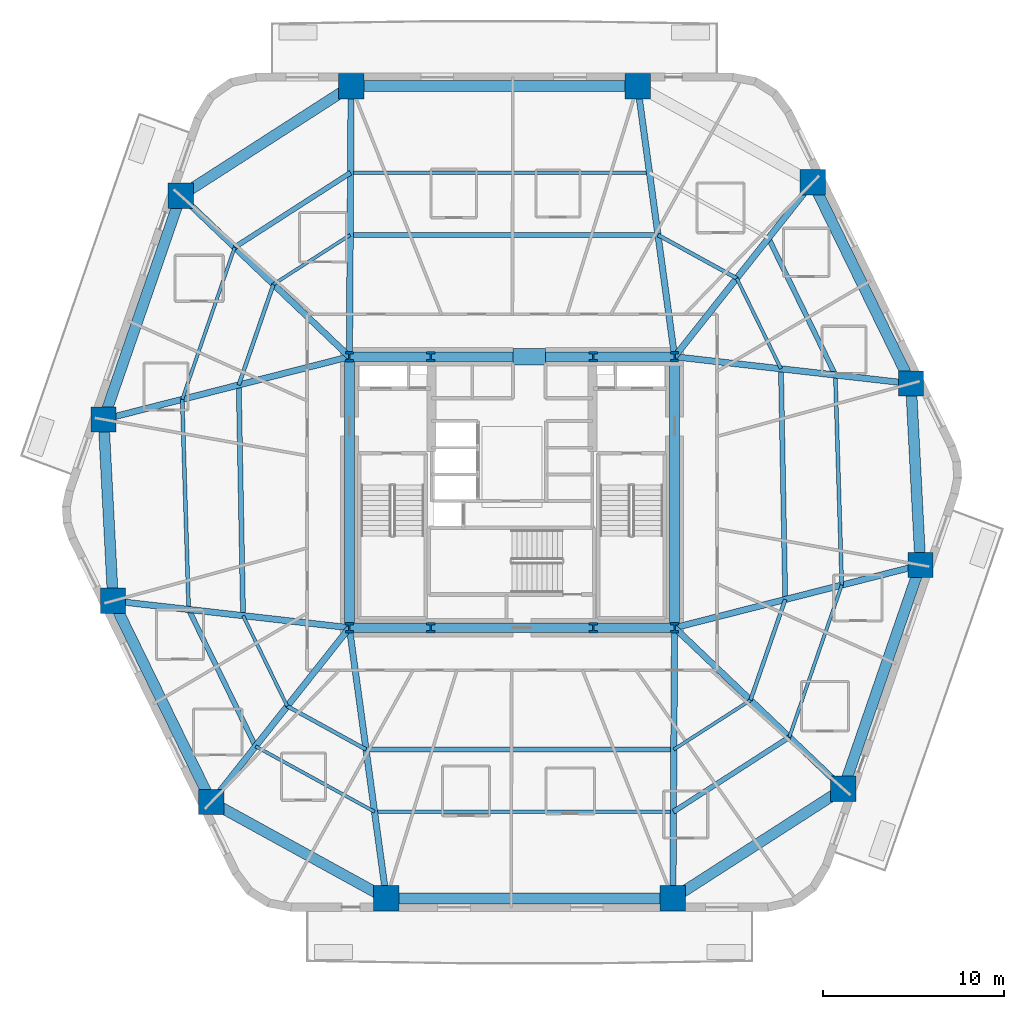
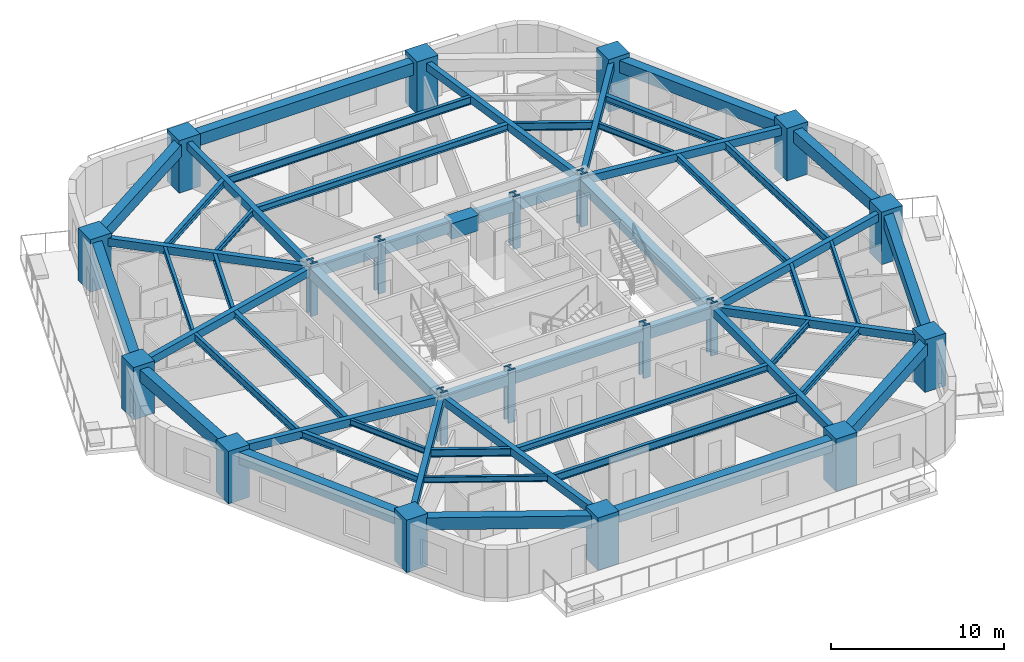
# One storey, part 1 of 11: 55 beams, 20 columns.
"""IFC4 building model written with IfcOpenShell, lengths in metres."""

from ifc_helpers import new_model, si_unit, direction, frame, origin, origin_2d, place, context, subcontext, project, spatial, rectangle, i_section, extrude, material, material_profile, profile_set, type_object, element, save


model = new_model("IFC4")

# Units and contexts
model_context = context("Model", 3, precision=1e-05, world=origin(), true_north=direction((0.0, 1.0)))
body_context = subcontext(model_context, "Body", "Model", "MODEL_VIEW")
ifc_project = project(units=[si_unit("LENGTHUNIT", "METRE"), si_unit("AREAUNIT", "SQUARE_METRE"), si_unit("VOLUMEUNIT", "CUBIC_METRE"), si_unit("PLANEANGLEUNIT", "RADIAN"), si_unit("MASSUNIT", "GRAM", prefix="KILO")], contexts=[model_context])

# Site, building, storey
site_placement = place(None, origin())
site = spatial("IfcSite", under=ifc_project, at=site_placement, CompositionType="ELEMENT")
building_placement = place(site_placement, origin())
building = spatial("IfcBuilding", under=site, at=building_placement, Name="Kilnhurst Terrace Hotel", CompositionType="ELEMENT")
storey_placement = place(building_placement, frame((0.0, 0.0, 37.89990234375)))
storey = spatial("IfcBuildingStorey", under=building, at=storey_placement, Name="L07", CompositionType="ELEMENT", Elevation=37.89990234375)

# Columns
ifc_material_1 = material(Name="Concrete C80/95", Category="concrete")
ifc_material_profile_1 = material_profile(ifc_material_1, rectangle(XDim=1.39990234375, YDim=1.39990234375, at=origin_2d()), Name="RC1400X1400")
ifc_profile_set_1 = profile_set([ifc_material_profile_1], Name="Concrete C80/95")
column_type_1 = type_object("IfcColumnType", Name="COL-RC-1400", PredefinedType="COLUMN", material=ifc_profile_set_1)
for number, where, z_axis, x_axis, name in (
    (1, (-6.955078125, -22.47998046875, 0.0), (0.0, 0.0, 1.0), (1.0, 0.0, 0.0), "L07 Structural Column PC-F11"),
    (2, (8.905029296875, -22.47998046875, 0.0), (0.0, 0.0, 1.0), (1.0, 0.0, 0.0), "L07 Structural Column PC-F12"),
    (3, (18.337890625, -16.410888671875, 0.0), (0.0, 0.0, 1.0), (1.0, 0.0, 0.0), "L07 Structural Column PC-F21"),
    (4, (22.60888671875, -4.029052734375, 0.0), (0.0, 0.0, 1.0), (1.0, 0.0, 0.0), "L07 Structural Column PC-F22"),
    (5, (22.083984375, 6.013916015625, 0.0), (0.0, 0.0, 1.0), (1.0, 0.0, 0.0), "L07 Structural Column PC-F31"),
    (6, (16.64306640625, 17.152099609375, 0.0), (0.0, 0.0, 1.0), (1.0, 0.0, 0.0), "L07 Structural Column PC-F32"),
    (7, (6.955078125, 22.47998046875, 0.0), (0.0, 0.0, 1.0), (1.0, 0.0, 0.0), "L07 Structural Column PC-F41"),
    (8, (-8.905029296875, 22.47998046875, 0.0), (0.0, 0.0, 1.0), (1.0, 0.0, 0.0), "L07 Structural Column PC-F42"),
    (9, (-18.337890625, 16.410888671875, 0.0), (0.0, 0.0, 1.0), (1.0, 0.0, 0.0), "L07 Structural Column PC-F51"),
    (10, (-22.60888671875, 4.029052734375, 0.0), (0.0, 0.0, 1.0), (1.0, 0.0, 0.0), "L07 Structural Column PC-F52"),
    (11, (-22.083984375, -6.013916015625, 0.0), (0.0, 0.0, 1.0), (1.0, 0.0, 0.0), "L07 Structural Column PC-F61"),
    (12, (-16.64306640625, -17.152099609375, 0.0), (0.0, 0.0, 1.0), (1.0, 0.0, 0.0), "L07 Structural Column PC-F62"),
):
    element("IfcColumn", number, at=place(storey_placement, frame(where, z_axis=z_axis, x_axis=x_axis)), inside=storey, type_object=column_type_1, Name=name, PredefinedType="COLUMN", context=body_context, shape_type="SweptSolid", body=[
        extrude(rectangle(XDim=1.39990234375, YDim=1.39990234375, at=origin_2d()), origin(), (0.0, 0.0, 1.0), 3.7001953125),
    ])
ifc_material_2 = material(Name="Steel ASTM A992 Grade 50", Category="steel")
ifc_material_profile_2 = material_profile(ifc_material_2, i_section(OverallWidth=0.454345703125, OverallDepth=0.569091796875, WebThickness=0.077880859375, FlangeThickness=0.124755859375, at=origin_2d()), Name="W14X730")
ifc_profile_set_2 = profile_set([ifc_material_profile_2], Name="Steel ASTM A992 Grade 50")
column_type_2 = type_object("IfcColumnType", Name="COL-STL-W14X730", PredefinedType="COLUMN", material=ifc_profile_set_2)
for number, where, z_axis, x_axis, name in (
    (13, (-9.0, -7.5, 0.0), (0.0, 0.0, 1.0), (1.0, 0.0, 0.0), "L07 Structural Column CC-SW"),
    (14, (-4.5, -7.5, 0.0), (0.0, 0.0, 1.0), (1.0, 0.0, 0.0), "L07 Structural Column CC-SC1"),
    (15, (4.5, -7.5, 0.0), (0.0, 0.0, 1.0), (1.0, 0.0, 0.0), "L07 Structural Column CC-SC2"),
    (16, (9.0, -7.5, 0.0), (0.0, 0.0, 1.0), (1.0, 0.0, 0.0), "L07 Structural Column CC-SE"),
    (17, (9.0, 7.5, 0.0), (0.0, 0.0, 1.0), (1.0, 0.0, 0.0), "L07 Structural Column CC-NE"),
    (18, (4.5, 7.5, 0.0), (0.0, 0.0, 1.0), (1.0, 0.0, 0.0), "L07 Structural Column CC-NC2"),
    (19, (-4.5, 7.5, 0.0), (0.0, 0.0, 1.0), (1.0, 0.0, 0.0), "L07 Structural Column CC-NC1"),
    (20, (-9.0, 7.5, 0.0), (0.0, 0.0, 1.0), (1.0, 0.0, 0.0), "L07 Structural Column CC-NW"),
):
    element("IfcColumn", number, at=place(storey_placement, frame(where, z_axis=z_axis, x_axis=x_axis)), inside=storey, type_object=column_type_2, Name=name, PredefinedType="COLUMN", context=body_context, shape_type="SweptSolid", body=[
        extrude(i_section(OverallWidth=0.454345703125, OverallDepth=0.569091796875, WebThickness=0.077880859375, FlangeThickness=0.124755859375, at=origin_2d()), origin(), (0.0, 0.0, 1.0), 3.7001953125),
    ])

# Beams
ifc_material_3 = material(Name="Concrete C50/60", Category="concrete")
ifc_material_profile_3 = material_profile(ifc_material_3, rectangle(XDim=0.35009765625, YDim=0.550048828125, at=origin_2d()), Name="RC350X550")
ifc_profile_set_3 = profile_set([ifc_material_profile_3], Name="Concrete C50/60")
beam_type_1 = type_object("IfcBeamType", Name="BM-RAD-350X550", PredefinedType="BEAM", material=ifc_profile_set_3)
beam_1_placement = place(storey_placement, frame((-9.0, -7.5, 3.125), z_axis=(0.13525588246, -0.990810701527, 0.0), x_axis=(0.990810701527, 0.13525588246, 0.0)))
element("IfcBeam", 21, at=beam_1_placement, inside=storey, type_object=beam_type_1, Name="L07 Radial Floor Beam 1", PredefinedType="BEAM", context=body_context, shape_type="SweptSolid", body=[
    extrude(rectangle(XDim=0.35009765625, YDim=0.550048828125, at=origin_2d()), origin(), (0.0, 0.0, 1.0), 15.118896484375),
])
beam_2_placement = place(storey_placement, frame((9.0, -7.5, 3.125), z_axis=(-0.006339714179, -0.99997990381, 0.0), x_axis=(0.99997990381, -0.006339714179, 0.0)))
element("IfcBeam", 22, at=beam_2_placement, inside=storey, type_object=beam_type_1, Name="L07 Radial Floor Beam 2", PredefinedType="BEAM", context=body_context, shape_type="SweptSolid", body=[
    extrude(rectangle(XDim=0.35009765625, YDim=0.550048828125, at=origin_2d()), origin(), (0.0, 0.0, 1.0), 14.980224609375),
])
beam_3_placement = place(storey_placement, frame((9.0, -7.5, 3.125), z_axis=(0.723454302813, -0.690372270403, 0.0), x_axis=(0.690372270403, 0.723454302813, 0.0)))
element("IfcBeam", 23, at=beam_3_placement, inside=storey, type_object=beam_type_1, Name="L07 Radial Floor Beam 3", PredefinedType="BEAM", context=body_context, shape_type="SweptSolid", body=[
    extrude(rectangle(XDim=0.35009765625, YDim=0.550048828125, at=origin_2d()), origin(), (0.0, 0.0, 1.0), 12.907470703125),
])
beam_4_placement = place(storey_placement, frame((9.0, -7.5, 3.125), z_axis=(0.968980179812, 0.247138445273, 0.0), x_axis=(-0.247138445273, 0.968980179812, 0.0)))
element("IfcBeam", 24, at=beam_4_placement, inside=storey, type_object=beam_type_1, Name="L07 Radial Floor Beam 4", PredefinedType="BEAM", context=body_context, shape_type="SweptSolid", body=[
    extrude(rectangle(XDim=0.35009765625, YDim=0.550048828125, at=origin_2d()), origin(), (0.0, 0.0, 1.0), 14.04443359375),
])
beam_5_placement = place(storey_placement, frame((9.0, 7.5, 3.125), z_axis=(0.993611493249, -0.112854776075, 0.0), x_axis=(0.112854776075, 0.993611493249, 0.0)))
element("IfcBeam", 25, at=beam_5_placement, inside=storey, type_object=beam_type_1, Name="L07 Radial Floor Beam 5", PredefinedType="BEAM", context=body_context, shape_type="SweptSolid", body=[
    extrude(rectangle(XDim=0.35009765625, YDim=0.550048828125, at=origin_2d()), origin(), (0.0, 0.0, 1.0), 13.168212890625),
])
beam_6_placement = place(storey_placement, frame((9.0, 7.5, 3.125), z_axis=(0.62079385707, 0.783973843329, 0.0), x_axis=(-0.783973843329, 0.62079385707, 0.0)))
element("IfcBeam", 26, at=beam_6_placement, inside=storey, type_object=beam_type_1, Name="L07 Radial Floor Beam 6", PredefinedType="BEAM", context=body_context, shape_type="SweptSolid", body=[
    extrude(rectangle(XDim=0.35009765625, YDim=0.550048828125, at=origin_2d()), origin(), (0.0, 0.0, 1.0), 12.311767578125),
])
beam_7_placement = place(storey_placement, frame((9.0, 7.5, 3.125), z_axis=(-0.13525588246, 0.990810701527, 0.0), x_axis=(-0.990810701527, -0.13525588246, 0.0)))
element("IfcBeam", 27, at=beam_7_placement, inside=storey, type_object=beam_type_1, Name="L07 Radial Floor Beam 7", PredefinedType="BEAM", context=body_context, shape_type="SweptSolid", body=[
    extrude(rectangle(XDim=0.35009765625, YDim=0.550048828125, at=origin_2d()), origin(), (0.0, 0.0, 1.0), 15.118896484375),
])
beam_8_placement = place(storey_placement, frame((-9.0, 7.5, 3.125), z_axis=(0.006339714179, 0.99997990381, 0.0), x_axis=(-0.99997990381, 0.006339714179, 0.0)))
element("IfcBeam", 28, at=beam_8_placement, inside=storey, type_object=beam_type_1, Name="L07 Radial Floor Beam 8", PredefinedType="BEAM", context=body_context, shape_type="SweptSolid", body=[
    extrude(rectangle(XDim=0.35009765625, YDim=0.550048828125, at=origin_2d()), origin(), (0.0, 0.0, 1.0), 14.980224609375),
])
beam_9_placement = place(storey_placement, frame((-9.0, 7.5, 3.125), z_axis=(-0.723454302813, 0.690372270403, 0.0), x_axis=(-0.690372270403, -0.723454302813, 0.0)))
element("IfcBeam", 29, at=beam_9_placement, inside=storey, type_object=beam_type_1, Name="L07 Radial Floor Beam 9", PredefinedType="BEAM", context=body_context, shape_type="SweptSolid", body=[
    extrude(rectangle(XDim=0.35009765625, YDim=0.550048828125, at=origin_2d()), origin(), (0.0, 0.0, 1.0), 12.907470703125),
])
beam_10_placement = place(storey_placement, frame((-9.0, 7.5, 3.125), z_axis=(-0.968980179812, -0.247138445273, 0.0), x_axis=(0.247138445273, -0.968980179812, 0.0)))
element("IfcBeam", 30, at=beam_10_placement, inside=storey, type_object=beam_type_1, Name="L07 Radial Floor Beam 10", PredefinedType="BEAM", context=body_context, shape_type="SweptSolid", body=[
    extrude(rectangle(XDim=0.35009765625, YDim=0.550048828125, at=origin_2d()), origin(), (0.0, 0.0, 1.0), 14.04443359375),
])
beam_11_placement = place(storey_placement, frame((-9.0, -7.5, 3.125), z_axis=(-0.993611493249, 0.112854776075, 0.0), x_axis=(-0.112854776075, -0.993611493249, 0.0)))
element("IfcBeam", 31, at=beam_11_placement, inside=storey, type_object=beam_type_1, Name="L07 Radial Floor Beam 11", PredefinedType="BEAM", context=body_context, shape_type="SweptSolid", body=[
    extrude(rectangle(XDim=0.35009765625, YDim=0.550048828125, at=origin_2d()), origin(), (0.0, 0.0, 1.0), 13.168212890625),
])
beam_12_placement = place(storey_placement, frame((-9.0, -7.5, 3.125), z_axis=(-0.62079385707, -0.783973843329, 0.0), x_axis=(0.783973843329, -0.62079385707, 0.0)))
element("IfcBeam", 32, at=beam_12_placement, inside=storey, type_object=beam_type_1, Name="L07 Radial Floor Beam 12", PredefinedType="BEAM", context=body_context, shape_type="SweptSolid", body=[
    extrude(rectangle(XDim=0.35009765625, YDim=0.550048828125, at=origin_2d()), origin(), (0.0, 0.0, 1.0), 12.311767578125),
])
ifc_material_profile_4 = material_profile(ifc_material_3, rectangle(XDim=0.550048828125, YDim=0.75, at=origin_2d()), Name="RC550X750")
ifc_profile_set_4 = profile_set([ifc_material_profile_4], Name="Concrete C50/60")
beam_type_2 = type_object("IfcBeamType", Name="BM-SPN-550X750", PredefinedType="SPANDREL", material=ifc_profile_set_4)
beam_13_placement = place(storey_placement, frame((-9.0, 7.5, 3.025146484375), z_axis=(1.0, 0.0, 0.0), x_axis=(0.0, 1.0, 0.0)))
element("IfcBeam", 33, at=beam_13_placement, inside=storey, type_object=beam_type_2, Name="L07 Core Tie Beam CC-NW to CC-NC1", PredefinedType="SPANDREL", context=body_context, shape_type="SweptSolid", body=[
    extrude(rectangle(XDim=0.550048828125, YDim=0.75, at=origin_2d()), origin(), (0.0, 0.0, 1.0), 4.5),
])
beam_14_placement = place(storey_placement, frame((-4.5, 7.5, 3.025146484375), z_axis=(1.0, 0.0, 0.0), x_axis=(0.0, 1.0, 0.0)))
element("IfcBeam", 34, at=beam_14_placement, inside=storey, type_object=beam_type_2, Name="L07 Core Tie Beam CC-NC1 to CC-NC2", PredefinedType="SPANDREL", context=body_context, shape_type="SweptSolid", body=[
    extrude(rectangle(XDim=0.550048828125, YDim=0.75, at=origin_2d()), origin(), (0.0, 0.0, 1.0), 9.0),
])
for number, where, z_axis, x_axis, name in (
    (35, (4.5, 7.5, 3.025146484375), (1.0, 0.0, 0.0), (0.0, 1.0, 0.0), "L07 Core Tie Beam CC-NC2 to CC-NE"),
    (36, (-9.0, -7.5, 3.025146484375), (1.0, 0.0, 0.0), (0.0, 1.0, 0.0), "L07 Core Tie Beam CC-SW to CC-SC1"),
):
    element("IfcBeam", number, at=place(storey_placement, frame(where, z_axis=z_axis, x_axis=x_axis)), inside=storey, type_object=beam_type_2, Name=name, PredefinedType="SPANDREL", context=body_context, shape_type="SweptSolid", body=[
        extrude(rectangle(XDim=0.550048828125, YDim=0.75, at=origin_2d()), origin(), (0.0, 0.0, 1.0), 4.5),
    ])
beam_15_placement = place(storey_placement, frame((-4.5, -7.5, 3.025146484375), z_axis=(1.0, 0.0, 0.0), x_axis=(0.0, 1.0, 0.0)))
element("IfcBeam", 37, at=beam_15_placement, inside=storey, type_object=beam_type_2, Name="L07 Core Tie Beam CC-SC1 to CC-SC2", PredefinedType="SPANDREL", context=body_context, shape_type="SweptSolid", body=[
    extrude(rectangle(XDim=0.550048828125, YDim=0.75, at=origin_2d()), origin(), (0.0, 0.0, 1.0), 9.0),
])
beam_16_placement = place(storey_placement, frame((4.5, -7.5, 3.025146484375), z_axis=(1.0, 0.0, 0.0), x_axis=(0.0, 1.0, 0.0)))
element("IfcBeam", 38, at=beam_16_placement, inside=storey, type_object=beam_type_2, Name="L07 Core Tie Beam CC-SC2 to CC-SE", PredefinedType="SPANDREL", context=body_context, shape_type="SweptSolid", body=[
    extrude(rectangle(XDim=0.550048828125, YDim=0.75, at=origin_2d()), origin(), (0.0, 0.0, 1.0), 4.5),
])
for number, where, z_axis, x_axis, name in (
    (39, (-9.0, -7.5, 3.025146484375), (0.0, 1.0, 0.0), (-1.0, 0.0, 0.0), "L07 Core Tie Beam CC-SW to CC-NW"),
    (40, (9.0, -7.5, 3.025146484375), (0.0, 1.0, 0.0), (-1.0, 0.0, 0.0), "L07 Core Tie Beam CC-SE to CC-NE"),
):
    element("IfcBeam", number, at=place(storey_placement, frame(where, z_axis=z_axis, x_axis=x_axis)), inside=storey, type_object=beam_type_2, Name=name, PredefinedType="SPANDREL", context=body_context, shape_type="SweptSolid", body=[
        extrude(rectangle(XDim=0.550048828125, YDim=0.75, at=origin_2d()), origin(), (0.0, 0.0, 1.0), 15.0),
    ])
ifc_material_profile_5 = material_profile(ifc_material_3, rectangle(XDim=0.60009765625, YDim=0.85009765625, at=origin_2d()), Name="RC600X850")
ifc_profile_set_5 = profile_set([ifc_material_profile_5], Name="Concrete C50/60")
beam_type_3 = type_object("IfcBeamType", Name="BM-SPN-600X850", PredefinedType="SPANDREL", material=ifc_profile_set_5)
beam_17_placement = place(storey_placement, frame((-6.955078125, -22.47998046875, 2.97509765625), z_axis=(1.0, 0.0, 0.0), x_axis=(0.0, 1.0, 0.0)))
element("IfcBeam", 41, at=beam_17_placement, inside=storey, type_object=beam_type_3, Name="L07 Perimeter Spandrel Beam 1", PredefinedType="SPANDREL", context=body_context, shape_type="SweptSolid", body=[
    extrude(rectangle(XDim=0.60009765625, YDim=0.85009765625, at=origin_2d()), origin(), (0.0, 0.0, 1.0), 15.860107421875),
])
beam_18_placement = place(storey_placement, frame((8.905029296875, -22.47998046875, 2.97509765625), z_axis=(0.840971204873, 0.541079876335, 0.0), x_axis=(-0.541079876335, 0.840971204873, 0.0)))
element("IfcBeam", 42, at=beam_18_placement, inside=storey, type_object=beam_type_3, Name="L07 Perimeter Spandrel Beam 2", PredefinedType="SPANDREL", context=body_context, shape_type="SweptSolid", body=[
    extrude(rectangle(XDim=0.60009765625, YDim=0.85009765625, at=origin_2d()), origin(), (0.0, 0.0, 1.0), 11.216552734375),
])
beam_19_placement = place(storey_placement, frame((18.337890625, -16.410888671875, 2.97509765625), z_axis=(0.326086040191, 0.945340094565, 0.0), x_axis=(-0.945340094565, 0.326086040191, 0.0)))
element("IfcBeam", 43, at=beam_19_placement, inside=storey, type_object=beam_type_3, Name="L07 Perimeter Spandrel Beam 3", PredefinedType="SPANDREL", context=body_context, shape_type="SweptSolid", body=[
    extrude(rectangle(XDim=0.60009765625, YDim=0.85009765625, at=origin_2d()), origin(), (0.0, 0.0, 1.0), 13.09765625),
])
beam_20_placement = place(storey_placement, frame((22.60888671875, -4.029052734375, 2.97509765625), z_axis=(-0.052194414298, 0.998636942595, 0.0), x_axis=(-0.998636942595, -0.052194414298, 0.0)))
element("IfcBeam", 44, at=beam_20_placement, inside=storey, type_object=beam_type_3, Name="L07 Perimeter Spandrel Beam 4", PredefinedType="SPANDREL", context=body_context, shape_type="SweptSolid", body=[
    extrude(rectangle(XDim=0.60009765625, YDim=0.85009765625, at=origin_2d()), origin(), (0.0, 0.0, 1.0), 10.056640625),
])
beam_21_placement = place(storey_placement, frame((22.083984375, 6.013916015625, 2.97509765625), z_axis=(-0.438922573627, 0.898524888003, 0.0), x_axis=(-0.898524888003, -0.438922573627, 0.0)))
element("IfcBeam", 45, at=beam_21_placement, inside=storey, type_object=beam_type_3, Name="L07 Perimeter Spandrel Beam 5", PredefinedType="SPANDREL", context=body_context, shape_type="SweptSolid", body=[
    extrude(rectangle(XDim=0.60009765625, YDim=0.85009765625, at=origin_2d()), origin(), (0.0, 0.0, 1.0), 12.39599609375),
])
beam_22_placement = place(storey_placement, frame((6.955078125, 22.47998046875, 2.97509765625), z_axis=(-1.0, 0.0, 0.0), x_axis=(0.0, -1.0, 0.0)))
element("IfcBeam", 46, at=beam_22_placement, inside=storey, type_object=beam_type_3, Name="L07 Perimeter Spandrel Beam 7", PredefinedType="SPANDREL", context=body_context, shape_type="SweptSolid", body=[
    extrude(rectangle(XDim=0.60009765625, YDim=0.85009765625, at=origin_2d()), origin(), (0.0, 0.0, 1.0), 15.860107421875),
])
beam_23_placement = place(storey_placement, frame((-8.905029296875, 22.47998046875, 2.97509765625), z_axis=(-0.840971204873, -0.541079876335, 0.0), x_axis=(0.541079876335, -0.840971204873, 0.0)))
element("IfcBeam", 47, at=beam_23_placement, inside=storey, type_object=beam_type_3, Name="L07 Perimeter Spandrel Beam 8", PredefinedType="SPANDREL", context=body_context, shape_type="SweptSolid", body=[
    extrude(rectangle(XDim=0.60009765625, YDim=0.85009765625, at=origin_2d()), origin(), (0.0, 0.0, 1.0), 11.216552734375),
])
beam_24_placement = place(storey_placement, frame((-18.337890625, 16.410888671875, 2.97509765625), z_axis=(-0.326086040191, -0.945340094565, 0.0), x_axis=(0.945340094565, -0.326086040191, 0.0)))
element("IfcBeam", 48, at=beam_24_placement, inside=storey, type_object=beam_type_3, Name="L07 Perimeter Spandrel Beam 9", PredefinedType="SPANDREL", context=body_context, shape_type="SweptSolid", body=[
    extrude(rectangle(XDim=0.60009765625, YDim=0.85009765625, at=origin_2d()), origin(), (0.0, 0.0, 1.0), 13.09765625),
])
beam_25_placement = place(storey_placement, frame((-22.60888671875, 4.029052734375, 2.97509765625), z_axis=(0.052194414298, -0.998636942595, 0.0), x_axis=(0.998636942595, 0.052194414298, 0.0)))
element("IfcBeam", 49, at=beam_25_placement, inside=storey, type_object=beam_type_3, Name="L07 Perimeter Spandrel Beam 10", PredefinedType="SPANDREL", context=body_context, shape_type="SweptSolid", body=[
    extrude(rectangle(XDim=0.60009765625, YDim=0.85009765625, at=origin_2d()), origin(), (0.0, 0.0, 1.0), 10.056640625),
])
beam_26_placement = place(storey_placement, frame((-22.083984375, -6.013916015625, 2.97509765625), z_axis=(0.438922573627, -0.898524888003, 0.0), x_axis=(0.898524888003, 0.438922573627, 0.0)))
element("IfcBeam", 50, at=beam_26_placement, inside=storey, type_object=beam_type_3, Name="L07 Perimeter Spandrel Beam 11", PredefinedType="SPANDREL", context=body_context, shape_type="SweptSolid", body=[
    extrude(rectangle(XDim=0.60009765625, YDim=0.85009765625, at=origin_2d()), origin(), (0.0, 0.0, 1.0), 12.39599609375),
])
beam_27_placement = place(storey_placement, frame((-16.64306640625, -17.152099609375, 2.97509765625), z_axis=(0.876235488803, -0.481883147829, 0.0), x_axis=(0.481883147829, 0.876235488803, 0.0)))
element("IfcBeam", 51, at=beam_27_placement, inside=storey, type_object=beam_type_3, Name="L07 Perimeter Spandrel Beam 12", PredefinedType="SPANDREL", context=body_context, shape_type="SweptSolid", body=[
    extrude(rectangle(XDim=0.60009765625, YDim=0.85009765625, at=origin_2d()), origin(), (0.0, 0.0, 1.0), 11.056396484375),
])
ifc_material_profile_6 = material_profile(ifc_material_2, i_section(OverallWidth=0.180908203125, OverallDepth=0.417236328125, WebThickness=0.010986328125, FlangeThickness=0.018310546875, at=origin_2d()), Name="W16X57")
ifc_profile_set_6 = profile_set([ifc_material_profile_6], Name="Steel ASTM A992 Grade 50")
beam_type_4 = type_object("IfcBeamType", Name="JST-STL-W16X57", PredefinedType="JOIST", material=ifc_profile_set_6)
for number, where, z_axis, x_axis, name in (
    (52, (15.349853515625, -13.5595703125, 3.191162109375), (0.326078536201, 0.945342682961, 0.0), (-0.945342682961, 0.326078536201, 0.0), "L07 Secondary Floor Steel Joist OUT.3"),
    (53, (-15.349853515625, 13.5595703125, 3.191162109375), (-0.326078536201, -0.945342682961, 0.0), (0.945342682961, -0.326078536201, 0.0), "L07 Secondary Floor Steel Joist OUT.9"),
):
    element("IfcBeam", number, at=place(storey_placement, frame(where, z_axis=z_axis, x_axis=x_axis)), inside=storey, type_object=beam_type_4, Name=name, PredefinedType="JOIST", context=body_context, shape_type="SweptSolid", body=[
        extrude(i_section(OverallWidth=0.180908203125, OverallDepth=0.417236328125, WebThickness=0.010986328125, FlangeThickness=0.018310546875, at=origin_2d()), origin(), (0.0, 0.0, 1.0), 8.90673828125),
    ])
beam_28_placement = place(storey_placement, frame((-14.197265625, -14.0634765625, 3.191162109375), z_axis=(0.876246073632, -0.481863900334, 0.0), x_axis=(0.481863900334, 0.876246073632, 0.0)))
element("IfcBeam", 54, at=beam_28_placement, inside=storey, type_object=beam_type_4, Name="L07 Secondary Floor Steel Joist OUT.12", PredefinedType="JOIST", context=body_context, shape_type="SweptSolid", body=[
    extrude(i_section(OverallWidth=0.180908203125, OverallDepth=0.417236328125, WebThickness=0.010986328125, FlangeThickness=0.018310546875, at=origin_2d()), origin(), (0.0, 0.0, 1.0), 7.518310546875),
])
beam_29_placement = place(storey_placement, frame((8.957275390625, -14.240966796875, 3.191162109375), z_axis=(0.840988265896, 0.541053358389, 0.0), x_axis=(-0.541053358389, 0.840988265896, 0.0)))
element("IfcBeam", 55, at=beam_29_placement, inside=storey, type_object=beam_type_4, Name="L07 Secondary Floor Steel Joist IN.2", PredefinedType="JOIST", context=body_context, shape_type="SweptSolid", body=[
    extrude(i_section(OverallWidth=0.180908203125, OverallDepth=0.417236328125, WebThickness=0.010986328125, FlangeThickness=0.018310546875, at=origin_2d()), origin(), (0.0, 0.0, 1.0), 5.04736328125),
])
beam_30_placement = place(storey_placement, frame((14.8876953125, 6.831298828125, 3.191162109375), z_axis=(-0.438896112695, 0.898537813484, 0.0), x_axis=(-0.898537813484, -0.438896112695, 0.0)))
element("IfcBeam", 56, at=beam_30_placement, inside=storey, type_object=beam_type_4, Name="L07 Secondary Floor Steel Joist IN.5", PredefinedType="JOIST", context=body_context, shape_type="SweptSolid", body=[
    extrude(i_section(OverallWidth=0.180908203125, OverallDepth=0.417236328125, WebThickness=0.010986328125, FlangeThickness=0.018310546875, at=origin_2d()), origin(), (0.0, 0.0, 1.0), 5.578125),
])
beam_31_placement = place(storey_placement, frame((-8.957275390625, 14.240966796875, 3.191162109375), z_axis=(-0.840988265896, -0.541053358389, 0.0), x_axis=(0.541053358389, -0.840988265896, 0.0)))
element("IfcBeam", 57, at=beam_31_placement, inside=storey, type_object=beam_type_4, Name="L07 Secondary Floor Steel Joist IN.8", PredefinedType="JOIST", context=body_context, shape_type="SweptSolid", body=[
    extrude(i_section(OverallWidth=0.180908203125, OverallDepth=0.417236328125, WebThickness=0.010986328125, FlangeThickness=0.018310546875, at=origin_2d()), origin(), (0.0, 0.0, 1.0), 5.04736328125),
])
beam_32_placement = place(storey_placement, frame((-14.8876953125, -6.831298828125, 3.191162109375), z_axis=(0.438896112695, -0.898537813484, 0.0), x_axis=(0.898537813484, 0.438896112695, 0.0)))
element("IfcBeam", 58, at=beam_32_placement, inside=storey, type_object=beam_type_4, Name="L07 Secondary Floor Steel Joist IN.11", PredefinedType="JOIST", context=body_context, shape_type="SweptSolid", body=[
    extrude(i_section(OverallWidth=0.180908203125, OverallDepth=0.417236328125, WebThickness=0.010986328125, FlangeThickness=0.018310546875, at=origin_2d()), origin(), (0.0, 0.0, 1.0), 5.578125),
])
ifc_material_profile_7 = material_profile(ifc_material_2, i_section(OverallWidth=0.279296875, OverallDepth=0.462890625, WebThickness=0.0107421875, FlangeThickness=0.017333984375, at=origin_2d()), Name="W18X76")
ifc_profile_set_7 = profile_set([ifc_material_profile_7], Name="Steel ASTM A992 Grade 50")
beam_type_5 = type_object("IfcBeamType", Name="JST-STL-W18X76", PredefinedType="JOIST", material=ifc_profile_set_7)
beam_33_placement = place(storey_placement, frame((8.935302734375, -17.686279296875, 3.168212890625), z_axis=(0.840995388529, 0.54104228714, 0.0), x_axis=(-0.54104228714, 0.840995388529, 0.0)))
element("IfcBeam", 59, at=beam_33_placement, inside=storey, type_object=beam_type_5, Name="L07 Secondary Floor Steel Joist OUT.2", PredefinedType="JOIST", context=body_context, shape_type="SweptSolid", body=[
    extrude(i_section(OverallWidth=0.279296875, OverallDepth=0.462890625, WebThickness=0.0107421875, FlangeThickness=0.017333984375, at=origin_2d()), origin(), (0.0, 0.0, 1.0), 7.62744140625),
])
beam_34_placement = place(storey_placement, frame((17.897216796875, 6.489501953125, 3.168212890625), z_axis=(-0.438934275949, 0.898519171413, 0.0), x_axis=(-0.898519171413, -0.438934275949, 0.0)))
element("IfcBeam", 60, at=beam_34_placement, inside=storey, type_object=beam_type_5, Name="L07 Secondary Floor Steel Joist OUT.5", PredefinedType="JOIST", context=body_context, shape_type="SweptSolid", body=[
    extrude(i_section(OverallWidth=0.279296875, OverallDepth=0.462890625, WebThickness=0.0107421875, FlangeThickness=0.017333984375, at=origin_2d()), origin(), (0.0, 0.0, 1.0), 8.429443359375),
])
beam_35_placement = place(storey_placement, frame((-8.935302734375, 17.686279296875, 3.168212890625), z_axis=(-0.840995388529, -0.54104228714, 0.0), x_axis=(0.54104228714, -0.840995388529, 0.0)))
element("IfcBeam", 61, at=beam_35_placement, inside=storey, type_object=beam_type_5, Name="L07 Secondary Floor Steel Joist OUT.8", PredefinedType="JOIST", context=body_context, shape_type="SweptSolid", body=[
    extrude(i_section(OverallWidth=0.279296875, OverallDepth=0.462890625, WebThickness=0.0107421875, FlangeThickness=0.017333984375, at=origin_2d()), origin(), (0.0, 0.0, 1.0), 7.62744140625),
])
beam_36_placement = place(storey_placement, frame((-17.897216796875, -6.489501953125, 3.168212890625), z_axis=(0.438934275949, -0.898519171413, 0.0), x_axis=(0.898519171413, 0.438934275949, 0.0)))
element("IfcBeam", 62, at=beam_36_placement, inside=storey, type_object=beam_type_5, Name="L07 Secondary Floor Steel Joist OUT.11", PredefinedType="JOIST", context=body_context, shape_type="SweptSolid", body=[
    extrude(i_section(OverallWidth=0.279296875, OverallDepth=0.462890625, WebThickness=0.0107421875, FlangeThickness=0.017333984375, at=origin_2d()), origin(), (0.0, 0.0, 1.0), 8.429443359375),
])
beam_37_placement = place(storey_placement, frame((-8.079833984375, -14.240966796875, 3.168212890625), z_axis=(1.0, 0.0, 0.0), x_axis=(0.0, 1.0, 0.0)))
element("IfcBeam", 63, at=beam_37_placement, inside=storey, type_object=beam_type_5, Name="L07 Secondary Floor Steel Joist IN.1", PredefinedType="JOIST", context=body_context, shape_type="SweptSolid", body=[
    extrude(i_section(OverallWidth=0.279296875, OverallDepth=0.462890625, WebThickness=0.0107421875, FlangeThickness=0.017333984375, at=origin_2d()), origin(), (0.0, 0.0, 1.0), 17.037109375),
])
beam_38_placement = place(storey_placement, frame((15.1240234375, -5.93798828125, 3.168212890625), z_axis=(-0.018504373716, 0.999828779418, 0.0), x_axis=(-0.999828779418, -0.018504373716, 0.0)))
element("IfcBeam", 64, at=beam_38_placement, inside=storey, type_object=beam_type_5, Name="L07 Secondary Floor Steel Joist IN.4", PredefinedType="JOIST", context=body_context, shape_type="SweptSolid", body=[
    extrude(i_section(OverallWidth=0.279296875, OverallDepth=0.462890625, WebThickness=0.0107421875, FlangeThickness=0.017333984375, at=origin_2d()), origin(), (0.0, 0.0, 1.0), 12.771484375),
])
beam_39_placement = place(storey_placement, frame((8.079833984375, 14.240966796875, 3.168212890625), z_axis=(-1.0, 0.0, 0.0), x_axis=(0.0, -1.0, 0.0)))
element("IfcBeam", 65, at=beam_39_placement, inside=storey, type_object=beam_type_5, Name="L07 Secondary Floor Steel Joist IN.7", PredefinedType="JOIST", context=body_context, shape_type="SweptSolid", body=[
    extrude(i_section(OverallWidth=0.279296875, OverallDepth=0.462890625, WebThickness=0.0107421875, FlangeThickness=0.017333984375, at=origin_2d()), origin(), (0.0, 0.0, 1.0), 17.037109375),
])
beam_40_placement = place(storey_placement, frame((-15.1240234375, 5.93798828125, 3.168212890625), z_axis=(0.018504373716, -0.999828779418, 0.0), x_axis=(0.999828779418, 0.018504373716, 0.0)))
element("IfcBeam", 66, at=beam_40_placement, inside=storey, type_object=beam_type_5, Name="L07 Secondary Floor Steel Joist IN.10", PredefinedType="JOIST", context=body_context, shape_type="SweptSolid", body=[
    extrude(i_section(OverallWidth=0.279296875, OverallDepth=0.462890625, WebThickness=0.0107421875, FlangeThickness=0.017333984375, at=origin_2d()), origin(), (0.0, 0.0, 1.0), 12.771484375),
])
ifc_material_profile_8 = material_profile(ifc_material_2, i_section(OverallWidth=0.2138671875, OverallDepth=0.549072265625, WebThickness=0.0146484375, FlangeThickness=0.023681640625, at=origin_2d()), Name="W21X93")
ifc_profile_set_8 = profile_set([ifc_material_profile_8], Name="Steel ASTM A992 Grade 50")
beam_type_6 = type_object("IfcBeamType", Name="JST-STL-W21X93", PredefinedType="JOIST", material=ifc_profile_set_8)
beam_41_placement = place(storey_placement, frame((-7.609375, -17.686279296875, 3.125), z_axis=(1.0, 0.0, 0.0), x_axis=(0.0, 1.0, 0.0)))
element("IfcBeam", 67, at=beam_41_placement, inside=storey, type_object=beam_type_6, Name="L07 Secondary Floor Steel Joist OUT.1", PredefinedType="JOIST", context=body_context, shape_type="SweptSolid", body=[
    extrude(i_section(OverallWidth=0.2138671875, OverallDepth=0.549072265625, WebThickness=0.0146484375, FlangeThickness=0.023681640625, at=origin_2d()), origin(), (0.0, 0.0, 1.0), 16.544677734375),
])
beam_42_placement = place(storey_placement, frame((18.254150390625, -5.1396484375, 3.125), z_axis=(-0.030678559818, 0.999529302206, 0.0), x_axis=(-0.999529302206, -0.030678559818, 0.0)))
element("IfcBeam", 68, at=beam_42_placement, inside=storey, type_object=beam_type_6, Name="L07 Secondary Floor Steel Joist OUT.4", PredefinedType="JOIST", context=body_context, shape_type="SweptSolid", body=[
    extrude(i_section(OverallWidth=0.2138671875, OverallDepth=0.549072265625, WebThickness=0.0146484375, FlangeThickness=0.023681640625, at=origin_2d()), origin(), (0.0, 0.0, 1.0), 11.634521484375),
])
beam_43_placement = place(storey_placement, frame((7.609375, 17.686279296875, 3.125), z_axis=(-1.0, 0.0, 0.0), x_axis=(0.0, -1.0, 0.0)))
element("IfcBeam", 69, at=beam_43_placement, inside=storey, type_object=beam_type_6, Name="L07 Secondary Floor Steel Joist OUT.7", PredefinedType="JOIST", context=body_context, shape_type="SweptSolid", body=[
    extrude(i_section(OverallWidth=0.2138671875, OverallDepth=0.549072265625, WebThickness=0.0146484375, FlangeThickness=0.023681640625, at=origin_2d()), origin(), (0.0, 0.0, 1.0), 16.544677734375),
])
beam_44_placement = place(storey_placement, frame((-18.254150390625, 5.1396484375, 3.125), z_axis=(0.030678559818, -0.999529302206, 0.0), x_axis=(0.999529302206, 0.030678559818, 0.0)))
element("IfcBeam", 70, at=beam_44_placement, inside=storey, type_object=beam_type_6, Name="L07 Secondary Floor Steel Joist OUT.10", PredefinedType="JOIST", context=body_context, shape_type="SweptSolid", body=[
    extrude(i_section(OverallWidth=0.2138671875, OverallDepth=0.549072265625, WebThickness=0.0146484375, FlangeThickness=0.023681640625, at=origin_2d()), origin(), (0.0, 0.0, 1.0), 11.634521484375),
])
beam_45_placement = place(storey_placement, frame((13.2021484375, -11.510009765625, 3.125), z_axis=(0.326064720391, 0.945347448358, 0.0), x_axis=(-0.945347448358, 0.326064720391, 0.0)))
element("IfcBeam", 71, at=beam_45_placement, inside=storey, type_object=beam_type_6, Name="L07 Secondary Floor Steel Joist IN.3", PredefinedType="JOIST", context=body_context, shape_type="SweptSolid", body=[
    extrude(i_section(OverallWidth=0.2138671875, OverallDepth=0.549072265625, WebThickness=0.0146484375, FlangeThickness=0.023681640625, at=origin_2d()), origin(), (0.0, 0.0, 1.0), 5.89404296875),
])
beam_46_placement = place(storey_placement, frame((12.439453125, 11.843505859375, 3.125), z_axis=(-0.876243879955, 0.481867889408, 0.0), x_axis=(-0.481867889408, -0.876243879955, 0.0)))
element("IfcBeam", 72, at=beam_46_placement, inside=storey, type_object=beam_type_6, Name="L07 Secondary Floor Steel Joist IN.6", PredefinedType="JOIST", context=body_context, shape_type="SweptSolid", body=[
    extrude(i_section(OverallWidth=0.2138671875, OverallDepth=0.549072265625, WebThickness=0.0146484375, FlangeThickness=0.023681640625, at=origin_2d()), origin(), (0.0, 0.0, 1.0), 4.975341796875),
])
beam_47_placement = place(storey_placement, frame((-13.2021484375, 11.510009765625, 3.125), z_axis=(-0.326064720391, -0.945347448358, 0.0), x_axis=(0.945347448358, -0.326064720391, 0.0)))
element("IfcBeam", 73, at=beam_47_placement, inside=storey, type_object=beam_type_6, Name="L07 Secondary Floor Steel Joist IN.9", PredefinedType="JOIST", context=body_context, shape_type="SweptSolid", body=[
    extrude(i_section(OverallWidth=0.2138671875, OverallDepth=0.549072265625, WebThickness=0.0146484375, FlangeThickness=0.023681640625, at=origin_2d()), origin(), (0.0, 0.0, 1.0), 5.89404296875),
])
beam_48_placement = place(storey_placement, frame((-12.439453125, -11.843505859375, 3.125), z_axis=(0.876243879955, -0.481867889408, 0.0), x_axis=(0.481867889408, 0.876243879955, 0.0)))
element("IfcBeam", 74, at=beam_48_placement, inside=storey, type_object=beam_type_6, Name="L07 Secondary Floor Steel Joist IN.12", PredefinedType="JOIST", context=body_context, shape_type="SweptSolid", body=[
    extrude(i_section(OverallWidth=0.2138671875, OverallDepth=0.549072265625, WebThickness=0.0146484375, FlangeThickness=0.023681640625, at=origin_2d()), origin(), (0.0, 0.0, 1.0), 4.975341796875),
])
ifc_material_profile_9 = material_profile(ifc_material_1, rectangle(XDim=0.89990234375, YDim=1.10009765625, at=origin_2d()), Name="RC900X1100")
ifc_profile_set_9 = profile_set([ifc_material_profile_9], Name="Concrete C80/95")
beam_type_7 = type_object("IfcBeamType", Name="LNT-CB-900X1100", PredefinedType="LINTEL", material=ifc_profile_set_9)
beam_49_placement = place(storey_placement, frame((0.050048828125, 7.5, 2.85009765625), z_axis=(1.0, 0.0, 0.0), x_axis=(0.0, 1.0, 0.0)))
element("IfcBeam", 75, at=beam_49_placement, inside=storey, type_object=beam_type_7, Name="L07 North Core Coupling Link Beam", PredefinedType="LINTEL", context=body_context, shape_type="SweptSolid", body=[
    extrude(rectangle(XDim=0.89990234375, YDim=1.10009765625, at=origin_2d()), origin(), (0.0, 0.0, 1.0), 1.800048828125),
])

save(model, "model.ifc")
